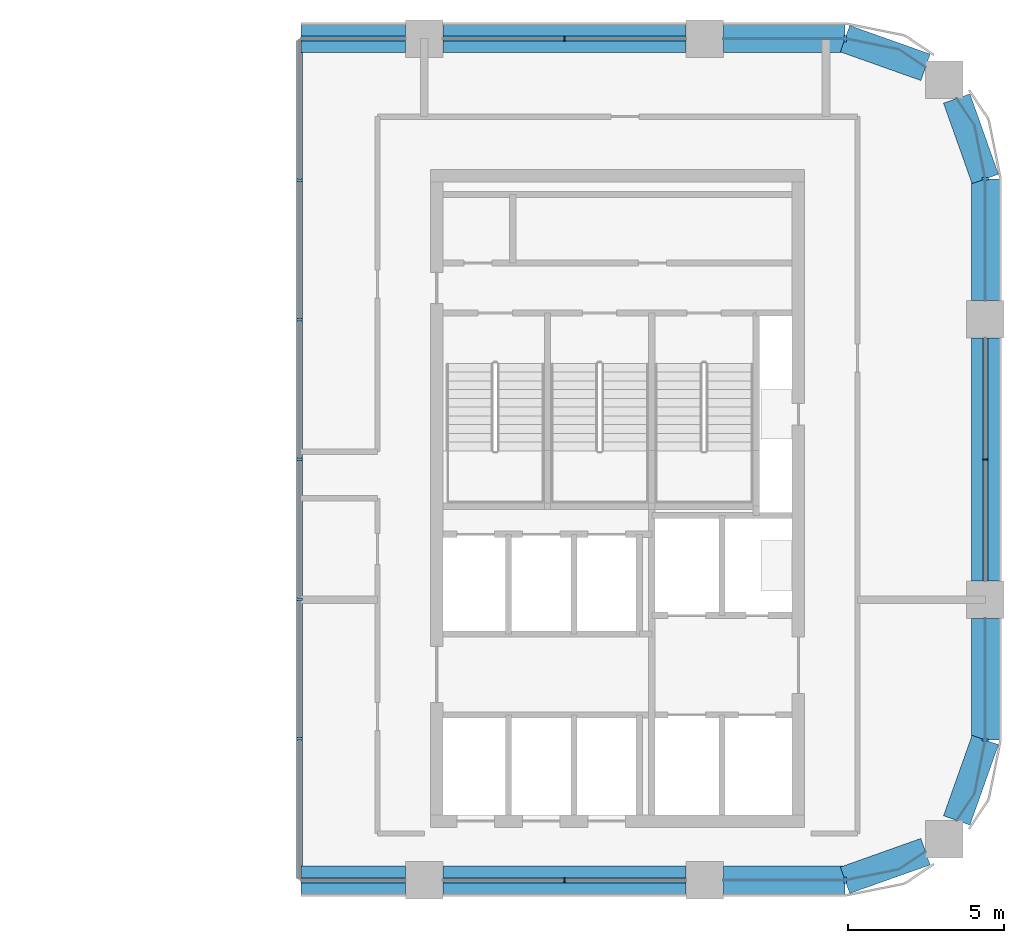
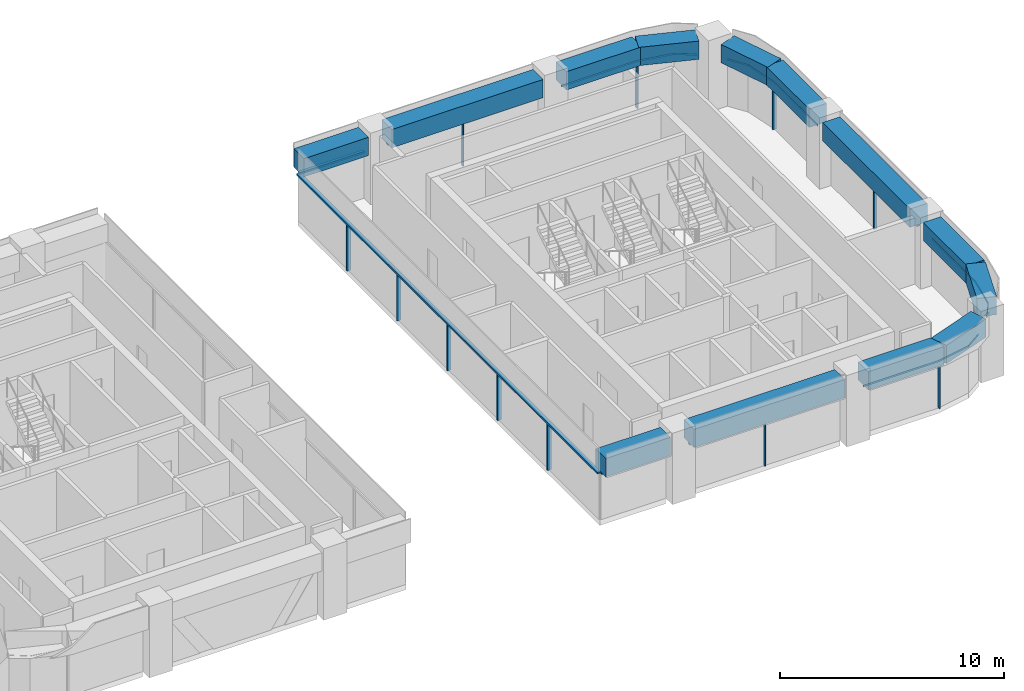
# One storey, part 3 of 11: 22 members, 13 beams, 10 elements without a shape of their own.
"""IFC4 building model written with IfcOpenShell, lengths in metres."""

from ifc_helpers import new_model, si_unit, direction, frame, origin, origin_2d, place, context, subcontext, project, spatial, polyline, rectangle, outline, extrude, material, material_profile, profile_set, type_object, element, aggregate, save


model = new_model("IFC4")

# Units and contexts
model_context = context("Model", 3, precision=1e-05, world=origin(), true_north=direction((0.0, 1.0)))
body_context = subcontext(model_context, "Body", "Model", "MODEL_VIEW")
ifc_project = project(units=[si_unit("LENGTHUNIT", "METRE"), si_unit("AREAUNIT", "SQUARE_METRE"), si_unit("VOLUMEUNIT", "CUBIC_METRE"), si_unit("PLANEANGLEUNIT", "RADIAN"), si_unit("MASSUNIT", "GRAM", prefix="KILO")], contexts=[model_context])

# Site, building, storey
site_placement = place(None, origin())
site = spatial("IfcSite", under=ifc_project, at=site_placement, CompositionType="ELEMENT")
building_placement = place(site_placement, origin())
building = spatial("IfcBuilding", under=site, at=building_placement, Name="Tessera Arch", CompositionType="ELEMENT")
storey_placement = place(building_placement, frame((0.0, 0.0, 211.10009765625)))
storey = spatial("IfcBuildingStorey", under=building, at=storey_placement, Name="L50", CompositionType="ELEMENT", Elevation=211.10009765625)

# Curtain wall, member
ifc_material_1 = material(Name="CW1 curtain wall")
curtain_wall_type_1 = type_object("IfcCurtainWallType", Name="CW1 curtain wall", PredefinedType="NOTDEFINED", material=ifc_material_1)
curtain_wall_1_placement = place(storey_placement, origin())
curtain_wall_1 = element("IfcCurtainWall", 1, at=curtain_wall_1_placement, inside=storey, type_object=curtain_wall_type_1, Name="CW1 curtain wall S27.32/1 L50", PredefinedType="NOTDEFINED")
ifc_material_2 = material(Name="Anodised aluminium pale metal", Category="aluminium")
ifc_material_profile_1 = material_profile(ifc_material_2, rectangle(XDim=0.159912109375, YDim=0.06005859375, at=origin_2d()), Name="AL 60x160")
ifc_profile_set_1 = profile_set([ifc_material_profile_1], Name="Anodised aluminium pale metal")
member_type_1 = type_object("IfcMemberType", Name="CW1 mullion", PredefinedType="MULLION", material=ifc_profile_set_1)
member_1_placement = place(storey_placement, frame((40.5, 27.0, 0.0), z_axis=(0.0, 0.0, 1.0), x_axis=(0.0, 1.0, 0.0)))
member_1 = element("IfcMember", 2, at=member_1_placement, type_object=member_type_1, Name="CW1 mullion S27.32/1 1", PredefinedType="MULLION", context=body_context, shape_type="SweptSolid", body=[
    extrude(rectangle(XDim=0.159912109375, YDim=0.06005859375, at=origin_2d()), origin(), (0.0, 0.0, 1.0), 2.5),
])

curtain_wall_2_placement = place(storey_placement, origin())
curtain_wall_2 = element("IfcCurtainWall", 3, at=curtain_wall_2_placement, inside=storey, type_object=curtain_wall_type_1, Name="CW1 curtain wall E54.27/1 L50", PredefinedType="NOTDEFINED")
member_2_placement = place(storey_placement, frame((54.0, 40.5, 0.0), z_axis=(0.0, 0.0, 1.0), x_axis=(-1.0, 0.0, 0.0)))
member_2 = element("IfcMember", 4, at=member_2_placement, type_object=member_type_1, Name="CW1 mullion E54.27/1 1", PredefinedType="MULLION", context=body_context, shape_type="SweptSolid", body=[
    extrude(rectangle(XDim=0.159912109375, YDim=0.06005859375, at=origin_2d()), origin(), (0.0, 0.0, 1.0), 2.5),
])

curtain_wall_3_placement = place(storey_placement, origin())
curtain_wall_3 = element("IfcCurtainWall", 5, at=curtain_wall_3_placement, inside=storey, type_object=curtain_wall_type_1, Name="CW1 curtain wall N54.32/1 L50", PredefinedType="NOTDEFINED")
member_3_placement = place(storey_placement, frame((40.5, 54.0, 0.0), z_axis=(0.0, 0.0, 1.0), x_axis=(0.0, -1.0, 0.0)))
member_3 = element("IfcMember", 6, at=member_3_placement, type_object=member_type_1, Name="CW1 mullion N54.32/1 1", PredefinedType="MULLION", context=body_context, shape_type="SweptSolid", body=[
    extrude(rectangle(XDim=0.159912109375, YDim=0.06005859375, at=origin_2d()), origin(), (0.0, 0.0, 1.0), 2.5),
])

curtain_wall_4_placement = place(storey_placement, origin())
curtain_wall_4 = element("IfcCurtainWall", 7, at=curtain_wall_4_placement, inside=storey, type_object=curtain_wall_type_1, Name="CW1 curtain wall S27.32/0 L50", PredefinedType="NOTDEFINED")
ifc_material_3 = material(Name="Anodised aluminium pale metal", Category="aluminium")
ifc_material_profile_2 = material_profile(ifc_material_3, rectangle(XDim=0.159912109375, YDim=0.10009765625, at=origin_2d()), Name="AL 160x100")
ifc_profile_set_2 = profile_set([ifc_material_profile_2], Name="Anodised aluminium pale metal")
member_type_2 = type_object("IfcMemberType", Name="CW1 transom", PredefinedType="USERDEFINED", material=ifc_profile_set_2)
member_4_placement = place(storey_placement, frame((32.050048828125, 27.0, 2.5498046875), z_axis=(1.0, 0.0, 0.0), x_axis=(0.0, 1.0, 0.0)))
member_4 = element("IfcMember", 8, at=member_4_placement, type_object=member_type_2, Name="CW1 transom S27.32/0 1.1", ObjectType="TRANSOM", PredefinedType="USERDEFINED", context=body_context, shape_type="SweptSolid", body=[
    extrude(rectangle(XDim=0.159912109375, YDim=0.10009765625, at=origin_2d()), origin(), (0.0, 0.0, 1.0), 3.349853515625),
])
aggregate(curtain_wall_4, [member_4])

# Member
member_5_placement = place(storey_placement, frame((36.60009765625, 27.0, 2.5498046875), z_axis=(1.0, 0.0, 0.0), x_axis=(0.0, 1.0, 0.0)))
member_5 = element("IfcMember", 9, at=member_5_placement, type_object=member_type_2, Name="CW1 transom S27.32/1 1.1", ObjectType="TRANSOM", PredefinedType="USERDEFINED", context=body_context, shape_type="SweptSolid", body=[
    extrude(rectangle(XDim=0.159912109375, YDim=0.10009765625, at=origin_2d()), origin(), (0.0, 0.0, 1.0), 7.7998046875),
])

aggregate(curtain_wall_1, [member_1, member_5])

member_6_placement = place(storey_placement, frame((54.0, 36.60009765625, 2.5498046875), z_axis=(0.0, 1.0, 0.0), x_axis=(-1.0, 0.0, 0.0)))
member_6 = element("IfcMember", 10, at=member_6_placement, type_object=member_type_2, Name="CW1 transom E54.27/1 1.1", ObjectType="TRANSOM", PredefinedType="USERDEFINED", context=body_context, shape_type="SweptSolid", body=[
    extrude(rectangle(XDim=0.159912109375, YDim=0.10009765625, at=origin_2d()), origin(), (0.0, 0.0, 1.0), 7.7998046875),
])

aggregate(curtain_wall_2, [member_2, member_6])

member_7_placement = place(storey_placement, frame((44.39990234375, 54.0, 2.5498046875), z_axis=(-1.0, 0.0, 0.0), x_axis=(0.0, -1.0, 0.0)))
member_7 = element("IfcMember", 11, at=member_7_placement, type_object=member_type_2, Name="CW1 transom N54.32/1 1.1", ObjectType="TRANSOM", PredefinedType="USERDEFINED", context=body_context, shape_type="SweptSolid", body=[
    extrude(rectangle(XDim=0.159912109375, YDim=0.10009765625, at=origin_2d()), origin(), (0.0, 0.0, 1.0), 7.7998046875),
])

aggregate(curtain_wall_3, [member_3, member_7])

# Curtain wall, member
curtain_wall_5_placement = place(storey_placement, origin())
curtain_wall_5 = element("IfcCurtainWall", 12, at=curtain_wall_5_placement, inside=storey, type_object=curtain_wall_type_1, Name="CW1 curtain wall N54.32/2 L50", PredefinedType="NOTDEFINED")
member_8_placement = place(storey_placement, frame((35.39990234375, 54.0, 2.5498046875), z_axis=(-1.0, 0.0, 0.0), x_axis=(0.0, -1.0, 0.0)))
member_8 = element("IfcMember", 13, at=member_8_placement, type_object=member_type_2, Name="CW1 transom N54.32/2 1.1", ObjectType="TRANSOM", PredefinedType="USERDEFINED", context=body_context, shape_type="SweptSolid", body=[
    extrude(rectangle(XDim=0.159912109375, YDim=0.10009765625, at=origin_2d()), origin(), (0.0, 0.0, 1.0), 3.349853515625),
])
aggregate(curtain_wall_5, [member_8])

ifc_material_4 = material(Name="CW2 curtain wall")
curtain_wall_type_2 = type_object("IfcCurtainWallType", Name="CW2 curtain wall", PredefinedType="NOTDEFINED", material=ifc_material_4)
curtain_wall_6_placement = place(storey_placement, origin())
curtain_wall_6 = element("IfcCurtainWall", 14, at=curtain_wall_6_placement, inside=storey, type_object=curtain_wall_type_2, Name="CW2 curtain wall S27.32/2 L50", PredefinedType="NOTDEFINED")
ifc_material_5 = material(Name="Anodised aluminium pale metal", Category="aluminium")
ifc_material_profile_3 = material_profile(ifc_material_5, rectangle(XDim=0.199951171875, YDim=0.080078125, at=origin_2d()), Name="AL 80x200")
ifc_profile_set_3 = profile_set([ifc_material_profile_3], Name="Anodised aluminium pale metal")
member_type_3 = type_object("IfcMemberType", Name="CW2 mullion", PredefinedType="MULLION", material=ifc_profile_set_3)
member_9_placement = place(storey_placement, frame((49.5, 27.0, 0.0), z_axis=(0.0, 0.0, 1.0), x_axis=(0.0, 1.0, 0.0)))
member_9 = element("IfcMember", 15, at=member_9_placement, type_object=member_type_3, Name="CW2 mullion S27.32/2 1", PredefinedType="MULLION", context=body_context, shape_type="SweptSolid", body=[
    extrude(rectangle(XDim=0.199951171875, YDim=0.080078125, at=origin_2d()), origin(), (0.0, 0.0, 1.0), 2.5),
])

curtain_wall_7_placement = place(storey_placement, origin())
curtain_wall_7 = element("IfcCurtainWall", 16, at=curtain_wall_7_placement, inside=storey, type_object=curtain_wall_type_2, Name="CW2 curtain wall E54.27/0 L50", PredefinedType="NOTDEFINED")
member_10_placement = place(storey_placement, frame((54.0, 31.5, 0.0), z_axis=(0.0, 0.0, 1.0), x_axis=(-1.0, 0.0, 0.0)))
member_10 = element("IfcMember", 17, at=member_10_placement, type_object=member_type_3, Name="CW2 mullion E54.27/0 1", PredefinedType="MULLION", context=body_context, shape_type="SweptSolid", body=[
    extrude(rectangle(XDim=0.199951171875, YDim=0.080078125, at=origin_2d()), origin(), (0.0, 0.0, 1.0), 2.5),
])

curtain_wall_8_placement = place(storey_placement, origin())
curtain_wall_8 = element("IfcCurtainWall", 18, at=curtain_wall_8_placement, inside=storey, type_object=curtain_wall_type_2, Name="CW2 curtain wall E54.27/2 L50", PredefinedType="NOTDEFINED")
member_11_placement = place(storey_placement, frame((54.0, 49.5, 0.0), z_axis=(0.0, 0.0, 1.0), x_axis=(-1.0, 0.0, 0.0)))
member_11 = element("IfcMember", 19, at=member_11_placement, type_object=member_type_3, Name="CW2 mullion E54.27/2 1", PredefinedType="MULLION", context=body_context, shape_type="SweptSolid", body=[
    extrude(rectangle(XDim=0.199951171875, YDim=0.080078125, at=origin_2d()), origin(), (0.0, 0.0, 1.0), 2.5),
])

curtain_wall_9_placement = place(storey_placement, origin())
curtain_wall_9 = element("IfcCurtainWall", 20, at=curtain_wall_9_placement, inside=storey, type_object=curtain_wall_type_2, Name="CW2 curtain wall N54.32/0 L50", PredefinedType="NOTDEFINED")
member_12_placement = place(storey_placement, frame((49.5, 54.0, 0.0), z_axis=(0.0, 0.0, 1.0), x_axis=(0.0, -1.0, 0.0)))
member_12 = element("IfcMember", 21, at=member_12_placement, type_object=member_type_3, Name="CW2 mullion N54.32/0 1", PredefinedType="MULLION", context=body_context, shape_type="SweptSolid", body=[
    extrude(rectangle(XDim=0.199951171875, YDim=0.080078125, at=origin_2d()), origin(), (0.0, 0.0, 1.0), 2.5),
])

# Member
ifc_material_6 = material(Name="Anodised aluminium pale metal", Category="aluminium")
ifc_material_profile_4 = material_profile(ifc_material_6, rectangle(XDim=0.199951171875, YDim=0.10009765625, at=origin_2d()), Name="AL 200x100")
ifc_profile_set_4 = profile_set([ifc_material_profile_4], Name="Anodised aluminium pale metal")
member_type_4 = type_object("IfcMemberType", Name="CW2 transom", PredefinedType="USERDEFINED", material=ifc_profile_set_4)
member_13_placement = place(storey_placement, frame((0.0, 0.0, 2.5)))
member_13 = element("IfcMember", 22, at=member_13_placement, type_object=member_type_4, Name="CW2 transom S27.32/2 1", ObjectType="TRANSOM", PredefinedType="USERDEFINED", context=body_context, shape_type="SweptSolid", body=[
    extrude(outline(polyline([(49.4990234375, 27.010009765625), (45.60009765625, 27.010009765625), (45.60009765625, 26.989990234375), (49.5009765625, 26.989990234375), (51.22607421875, 27.3330078125), (52.087646484375, 27.90869140625), (52.076416015625, 27.92529296875), (51.21826171875, 27.351806640625), (49.4990234375, 27.010009765625)])), origin(), (0.0, 0.0, 1.0), 0.099853515625),
])

aggregate(curtain_wall_6, [member_9, member_13])

member_14_placement = place(storey_placement, frame((0.0, 0.0, 2.5)))
member_14 = element("IfcMember", 23, at=member_14_placement, type_object=member_type_4, Name="CW2 transom E54.27/0 1", ObjectType="TRANSOM", PredefinedType="USERDEFINED", context=body_context, shape_type="SweptSolid", body=[
    extrude(outline(polyline([(53.648193359375, 29.78173828125), (53.07470703125, 28.923583984375), (53.09130859375, 28.912353515625), (53.6669921875, 29.77392578125), (54.010009765625, 31.4990234375), (54.010009765625, 35.39990234375), (53.989990234375, 35.39990234375), (53.989990234375, 31.5009765625), (53.648193359375, 29.78173828125)])), origin(), (0.0, 0.0, 1.0), 0.099853515625),
])

aggregate(curtain_wall_7, [member_10, member_14])

member_15_placement = place(storey_placement, frame((0.0, 0.0, 2.5)))
member_15 = element("IfcMember", 24, at=member_15_placement, type_object=member_type_4, Name="CW2 transom E54.27/2 1", ObjectType="TRANSOM", PredefinedType="USERDEFINED", context=body_context, shape_type="SweptSolid", body=[
    extrude(outline(polyline([(53.989990234375, 49.4990234375), (53.989990234375, 45.60009765625), (54.010009765625, 45.60009765625), (54.010009765625, 49.5009765625), (53.6669921875, 51.22607421875), (53.09130859375, 52.087646484375), (53.07470703125, 52.076416015625), (53.648193359375, 51.21826171875), (53.989990234375, 49.4990234375)])), origin(), (0.0, 0.0, 1.0), 0.099853515625),
])

aggregate(curtain_wall_8, [member_11, member_15])

member_16_placement = place(storey_placement, frame((0.0, 0.0, 2.5)))
member_16 = element("IfcMember", 25, at=member_16_placement, type_object=member_type_4, Name="CW2 transom N54.32/0 1", ObjectType="TRANSOM", PredefinedType="USERDEFINED", context=body_context, shape_type="SweptSolid", body=[
    extrude(outline(polyline([(51.21826171875, 53.648193359375), (52.076416015625, 53.07470703125), (52.087646484375, 53.09130859375), (51.22607421875, 53.6669921875), (49.5009765625, 54.010009765625), (45.60009765625, 54.010009765625), (45.60009765625, 53.989990234375), (49.4990234375, 53.989990234375), (51.21826171875, 53.648193359375)])), origin(), (0.0, 0.0, 1.0), 0.099853515625),
])

aggregate(curtain_wall_9, [member_12, member_16])

# Curtain wall, members
ifc_material_7 = material(Name="CW5 curtain wall")
curtain_wall_type_3 = type_object("IfcCurtainWallType", Name="CW5 curtain wall", PredefinedType="NOTDEFINED", material=ifc_material_7)
curtain_wall_10_placement = place(storey_placement, origin())
curtain_wall_10 = element("IfcCurtainWall", 26, at=curtain_wall_10_placement, inside=storey, type_object=curtain_wall_type_3, Name="CW5 curtain wall W32.27/0 L50", PredefinedType="NOTDEFINED")
ifc_material_8 = material(Name="Anodised aluminium pale metal", Category="aluminium")
ifc_material_profile_5 = material_profile(ifc_material_8, rectangle(XDim=0.199951171875, YDim=0.080078125, at=origin_2d()), Name="AL 80x200")
ifc_profile_set_5 = profile_set([ifc_material_profile_5], Name="Anodised aluminium pale metal")
member_type_5 = type_object("IfcMemberType", Name="CW5 mullion", PredefinedType="MULLION", material=ifc_profile_set_5)
member_17_placement = place(storey_placement, frame((32.0, 49.466552734375, 0.0), z_axis=(0.0, 0.0, 1.0), x_axis=(1.0, 0.0, 0.0)))
member_17 = element("IfcMember", 27, at=member_17_placement, type_object=member_type_5, Name="CW5 mullion W32.27/0 1", PredefinedType="MULLION", context=body_context, shape_type="SweptSolid", body=[
    extrude(rectangle(XDim=0.199951171875, YDim=0.080078125, at=origin_2d()), origin(), (0.0, 0.0, 1.0), 2.5),
])
member_18_placement = place(storey_placement, frame((32.0, 44.9833984375, 0.0), z_axis=(0.0, 0.0, 1.0), x_axis=(1.0, 0.0, 0.0)))
member_18 = element("IfcMember", 28, at=member_18_placement, type_object=member_type_5, Name="CW5 mullion W32.27/0 2", PredefinedType="MULLION", context=body_context, shape_type="SweptSolid", body=[
    extrude(rectangle(XDim=0.199951171875, YDim=0.080078125, at=origin_2d()), origin(), (0.0, 0.0, 1.0), 2.5),
])
member_19_placement = place(storey_placement, frame((32.0, 40.5, 0.0), z_axis=(0.0, 0.0, 1.0), x_axis=(1.0, 0.0, 0.0)))
member_19 = element("IfcMember", 29, at=member_19_placement, type_object=member_type_5, Name="CW5 mullion W32.27/0 3", PredefinedType="MULLION", context=body_context, shape_type="SweptSolid", body=[
    extrude(rectangle(XDim=0.199951171875, YDim=0.080078125, at=origin_2d()), origin(), (0.0, 0.0, 1.0), 2.5),
])
member_20_placement = place(storey_placement, frame((32.0, 36.0166015625, 0.0), z_axis=(0.0, 0.0, 1.0), x_axis=(1.0, 0.0, 0.0)))
member_20 = element("IfcMember", 30, at=member_20_placement, type_object=member_type_5, Name="CW5 mullion W32.27/0 4", PredefinedType="MULLION", context=body_context, shape_type="SweptSolid", body=[
    extrude(rectangle(XDim=0.199951171875, YDim=0.080078125, at=origin_2d()), origin(), (0.0, 0.0, 1.0), 2.5),
])
member_21_placement = place(storey_placement, frame((32.0, 31.533447265625, 0.0), z_axis=(0.0, 0.0, 1.0), x_axis=(1.0, 0.0, 0.0)))
member_21 = element("IfcMember", 31, at=member_21_placement, type_object=member_type_5, Name="CW5 mullion W32.27/0 5", PredefinedType="MULLION", context=body_context, shape_type="SweptSolid", body=[
    extrude(rectangle(XDim=0.199951171875, YDim=0.080078125, at=origin_2d()), origin(), (0.0, 0.0, 1.0), 2.5),
])
ifc_material_9 = material(Name="Anodised aluminium pale metal", Category="aluminium")
ifc_material_profile_6 = material_profile(ifc_material_9, rectangle(XDim=0.199951171875, YDim=0.10009765625, at=origin_2d()), Name="AL 200x100")
ifc_profile_set_6 = profile_set([ifc_material_profile_6], Name="Anodised aluminium pale metal")
member_type_6 = type_object("IfcMemberType", Name="CW5 transom", PredefinedType="USERDEFINED", material=ifc_profile_set_6)
member_22_placement = place(storey_placement, frame((32.0, 53.949951171875, 2.5498046875), z_axis=(0.0, -1.0, 0.0), x_axis=(1.0, 0.0, 0.0)))
member_22 = element("IfcMember", 32, at=member_22_placement, type_object=member_type_6, Name="CW5 transom W32.27/0 1.1", ObjectType="TRANSOM", PredefinedType="USERDEFINED", context=body_context, shape_type="SweptSolid", body=[
    extrude(rectangle(XDim=0.199951171875, YDim=0.10009765625, at=origin_2d()), origin(), (0.0, 0.0, 1.0), 26.89990234375),
])
aggregate(curtain_wall_10, [member_17, member_18, member_19, member_20, member_21, member_22])

# Beams
ifc_material_10 = material(Name="Concrete C60/75", Category="concrete")
ifc_material_profile_7 = material_profile(ifc_material_10, rectangle(XDim=0.89990234375, YDim=1.0, at=origin_2d()), Name="RC spandrel beam 900 x 1000 Concrete C60/75")
ifc_profile_set_7 = profile_set([ifc_material_profile_7], Name="Concrete C60/75")
beam_type = type_object("IfcBeamType", Name="RC spandrel beam 900 x 1000 Concrete C60/75", PredefinedType="BEAM", material=ifc_profile_set_7)
beam_1_placement = place(storey_placement, frame((32.050048828125, 27.0, 3.099853515625), z_axis=(1.0, 0.0, 0.0), x_axis=(0.0, 1.0, 0.0)))
element("IfcBeam", 33, at=beam_1_placement, inside=storey, type_object=beam_type, Name="Spandrel beam L50 S27.32/0", PredefinedType="BEAM", context=body_context, shape_type="SweptSolid", body=[
    extrude(rectangle(XDim=0.89990234375, YDim=1.0, at=origin_2d()), origin(), (0.0, 0.0, 1.0), 3.349853515625),
])
beam_2_placement = place(storey_placement, frame((36.60009765625, 27.0, 3.099853515625), z_axis=(1.0, 0.0, 0.0), x_axis=(0.0, 1.0, 0.0)))
element("IfcBeam", 34, at=beam_2_placement, inside=storey, type_object=beam_type, Name="Spandrel beam L50 S27.32/1", PredefinedType="BEAM", context=body_context, shape_type="SweptSolid", body=[
    extrude(rectangle(XDim=0.89990234375, YDim=1.0, at=origin_2d()), origin(), (0.0, 0.0, 1.0), 7.7998046875),
])
beam_3_placement = place(storey_placement, frame((45.60009765625, 27.0, 3.099853515625), z_axis=(1.0, 0.0, 0.0), x_axis=(0.0, 1.0, 0.0)))
element("IfcBeam", 35, at=beam_3_placement, inside=storey, type_object=beam_type, Name="Spandrel beam L50 S27.32/2.1", PredefinedType="BEAM", context=body_context, shape_type="SweptSolid", body=[
    extrude(rectangle(XDim=0.89990234375, YDim=1.0, at=origin_2d()), origin(), (0.0, 0.0, 1.0), 3.89990234375),
])
for number, where, z_axis, x_axis, name in (
    (36, (49.5, 27.0, 3.099853515625), (0.942337127159, 0.334665114373, 0.0), (-0.334665114373, 0.942337127159, 0.0), "Spandrel beam L50 S27.32/2.2"),
    (37, (53.0830078125, 28.91796875, 3.099853515625), (0.334665114373, 0.942337127159, 0.0), (-0.942337127159, 0.334665114373, 0.0), "Spandrel beam L50 E54.27/0.1"),
):
    element("IfcBeam", number, at=place(storey_placement, frame(where, z_axis=z_axis, x_axis=x_axis)), inside=storey, type_object=beam_type, Name=name, PredefinedType="BEAM", context=body_context, shape_type="SweptSolid", body=[
        extrude(rectangle(XDim=0.89990234375, YDim=1.0, at=origin_2d()), origin(), (0.0, 0.0, 1.0), 2.739990234375),
    ])
beam_4_placement = place(storey_placement, frame((54.0, 31.5, 3.099853515625), z_axis=(0.0, 1.0, 0.0), x_axis=(-1.0, 0.0, 0.0)))
element("IfcBeam", 38, at=beam_4_placement, inside=storey, type_object=beam_type, Name="Spandrel beam L50 E54.27/0.2", PredefinedType="BEAM", context=body_context, shape_type="SweptSolid", body=[
    extrude(rectangle(XDim=0.89990234375, YDim=1.0, at=origin_2d()), origin(), (0.0, 0.0, 1.0), 3.89990234375),
])
beam_5_placement = place(storey_placement, frame((54.0, 36.60009765625, 3.099853515625), z_axis=(0.0, 1.0, 0.0), x_axis=(-1.0, 0.0, 0.0)))
element("IfcBeam", 39, at=beam_5_placement, inside=storey, type_object=beam_type, Name="Spandrel beam L50 E54.27/1", PredefinedType="BEAM", context=body_context, shape_type="SweptSolid", body=[
    extrude(rectangle(XDim=0.89990234375, YDim=1.0, at=origin_2d()), origin(), (0.0, 0.0, 1.0), 7.7998046875),
])
beam_6_placement = place(storey_placement, frame((54.0, 45.60009765625, 3.099853515625), z_axis=(0.0, 1.0, 0.0), x_axis=(-1.0, 0.0, 0.0)))
element("IfcBeam", 40, at=beam_6_placement, inside=storey, type_object=beam_type, Name="Spandrel beam L50 E54.27/2.1", PredefinedType="BEAM", context=body_context, shape_type="SweptSolid", body=[
    extrude(rectangle(XDim=0.89990234375, YDim=1.0, at=origin_2d()), origin(), (0.0, 0.0, 1.0), 3.89990234375),
])
for number, where, z_axis, x_axis, name in (
    (41, (54.0, 49.5, 3.099853515625), (-0.334665114373, 0.942337127159, 0.0), (-0.942337127159, -0.334665114373, 0.0), "Spandrel beam L50 E54.27/2.2"),
    (42, (52.08203125, 53.0830078125, 3.099853515625), (-0.942337127159, 0.334665114373, 0.0), (-0.334665114373, -0.942337127159, 0.0), "Spandrel beam L50 N54.32/0.1"),
):
    element("IfcBeam", number, at=place(storey_placement, frame(where, z_axis=z_axis, x_axis=x_axis)), inside=storey, type_object=beam_type, Name=name, PredefinedType="BEAM", context=body_context, shape_type="SweptSolid", body=[
        extrude(rectangle(XDim=0.89990234375, YDim=1.0, at=origin_2d()), origin(), (0.0, 0.0, 1.0), 2.739990234375),
    ])
beam_7_placement = place(storey_placement, frame((49.5, 54.0, 3.099853515625), z_axis=(-1.0, 0.0, 0.0), x_axis=(0.0, -1.0, 0.0)))
element("IfcBeam", 43, at=beam_7_placement, inside=storey, type_object=beam_type, Name="Spandrel beam L50 N54.32/0.2", PredefinedType="BEAM", context=body_context, shape_type="SweptSolid", body=[
    extrude(rectangle(XDim=0.89990234375, YDim=1.0, at=origin_2d()), origin(), (0.0, 0.0, 1.0), 3.89990234375),
])
beam_8_placement = place(storey_placement, frame((44.39990234375, 54.0, 3.099853515625), z_axis=(-1.0, 0.0, 0.0), x_axis=(0.0, -1.0, 0.0)))
element("IfcBeam", 44, at=beam_8_placement, inside=storey, type_object=beam_type, Name="Spandrel beam L50 N54.32/1", PredefinedType="BEAM", context=body_context, shape_type="SweptSolid", body=[
    extrude(rectangle(XDim=0.89990234375, YDim=1.0, at=origin_2d()), origin(), (0.0, 0.0, 1.0), 7.7998046875),
])
beam_9_placement = place(storey_placement, frame((35.39990234375, 54.0, 3.099853515625), z_axis=(-1.0, 0.0, 0.0), x_axis=(0.0, -1.0, 0.0)))
element("IfcBeam", 45, at=beam_9_placement, inside=storey, type_object=beam_type, Name="Spandrel beam L50 N54.32/2", PredefinedType="BEAM", context=body_context, shape_type="SweptSolid", body=[
    extrude(rectangle(XDim=0.89990234375, YDim=1.0, at=origin_2d()), origin(), (0.0, 0.0, 1.0), 3.349853515625),
])

save(model, "model.ifc")
